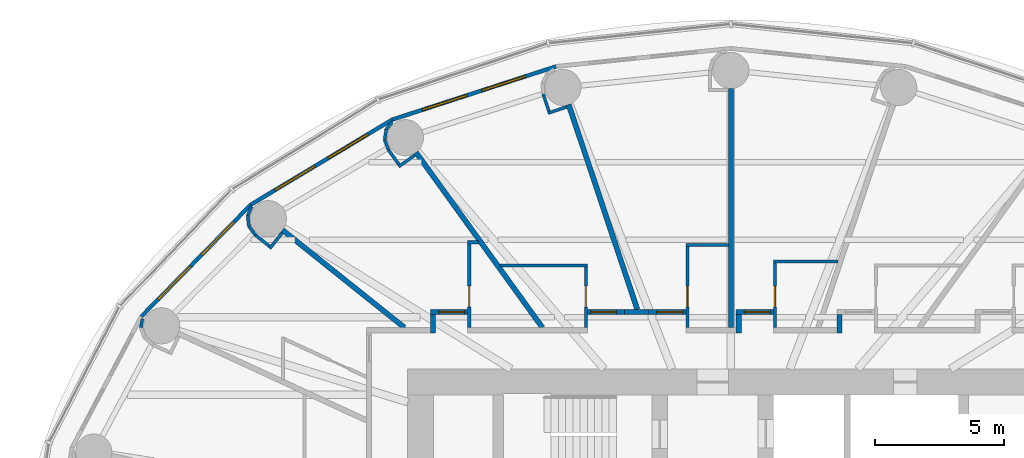
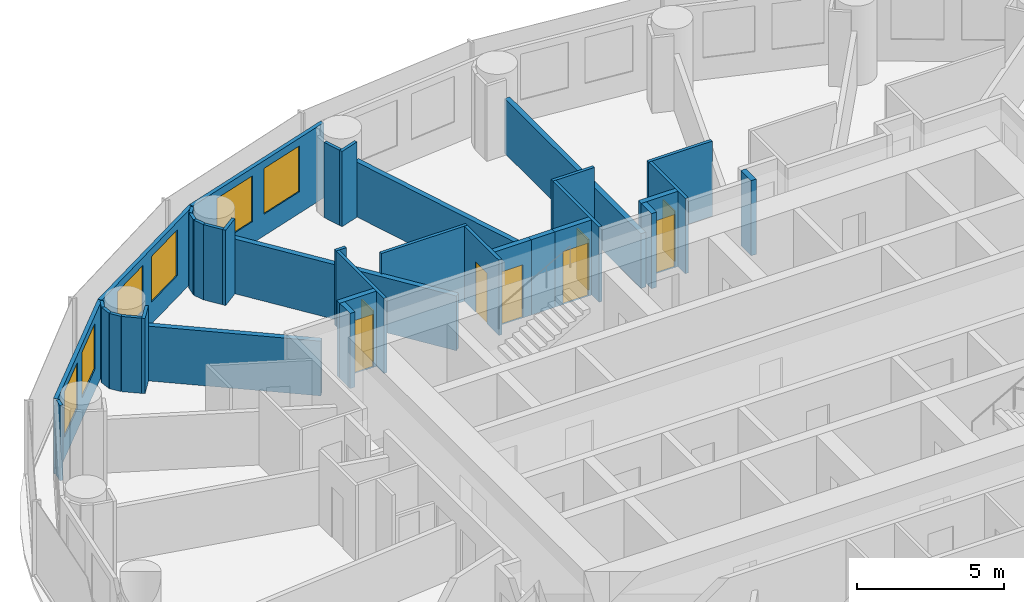
# One storey, part 11 of 14: 36 walls, 8 doors, 6 windows, 14 openings.
"""IFC4 building model written with IfcOpenShell, lengths in metres."""

from ifc_helpers import new_model, si_unit, direction, frame, frame_2d, origin, place, context, subcontext, project, spatial, rectangle, extrude, material, layer, layer_set, type_object, element, fill, save


model = new_model("IFC4")

# Units and contexts
model_context = context("Model", 3, precision=1e-05, world=origin(), true_north=direction((0.0, 1.0)))
body_context = subcontext(model_context, "Body", "Model", "MODEL_VIEW")
ifc_project = project(units=[si_unit("LENGTHUNIT", "METRE"), si_unit("AREAUNIT", "SQUARE_METRE"), si_unit("VOLUMEUNIT", "CUBIC_METRE"), si_unit("PLANEANGLEUNIT", "RADIAN"), si_unit("MASSUNIT", "GRAM", prefix="KILO")], contexts=[model_context])

# Site, building, storey
site_placement = place(None, origin())
site = spatial("IfcSite", under=ifc_project, at=site_placement, CompositionType="ELEMENT")
building_placement = place(site_placement, origin())
building = spatial("IfcBuilding", under=site, at=building_placement, Name="Hankou Lantern Tower", CompositionType="ELEMENT")
storey_placement = place(building_placement, frame((0.0, 0.0, 87.0)))
storey = spatial("IfcBuildingStorey", under=building, at=storey_placement, Name="L22", CompositionType="ELEMENT", Elevation=87.0)

# Wall, openings, windows
ifc_material_1 = material(Name="Aluminium spandrel panel on steel studs", Category="steel")
ifc_layer_1 = layer(ifc_material_1, 0.14990234375)
ifc_layer_set_1 = layer_set([ifc_layer_1], Name="Aluminium spandrel panel on steel studs")
wall_type_1 = type_object("IfcWallType", Name="EW1 INNER SKIN WALL 150", PredefinedType="ELEMENTEDWALL", material=ifc_layer_set_1)
wall_1_placement = place(storey_placement, frame((-6.766357421875, 20.201904296875, 0.0), z_axis=(0.0, 0.0, 1.0), x_axis=(-0.951137534625, -0.308767534285, 0.0)))
wall_1 = element("IfcWall", 1, at=wall_1_placement, inside=storey, type_object=wall_type_1, Name="Inner skin R08-R09 L22", PredefinedType="ELEMENTEDWALL", context=body_context, shape_type="SweptSolid", body=[
    extrude(rectangle(XDim=6.6552734375, YDim=0.14990234375, at=frame_2d((3.32763671875, 0.0))), origin(), (0.0, 0.0, 1.0), 3.1201171875),
])
opening_1_placement = place(wall_1_placement, frame((1.2275390625, 0.0, 0.89990234375)))
opening_1 = element("IfcOpeningElement", 2, at=opening_1_placement, cuts=wall_1, Name="Opening W1", PredefinedType="OPENING", context=body_context, shape_type="SweptSolid", body=[
    extrude(rectangle(XDim=1.800048828125, YDim=1.89990234375, at=frame_2d((0.89990234375, 0.949951171875))), frame((0.0, 0.0849609375, 0.0), z_axis=(0.0, -1.0, 0.0), x_axis=(1.0, 0.0, 0.0)), (0.0, 0.0, 1.0), 0.169921875),
])
opening_2_placement = place(wall_1_placement, frame((3.627685546875, 0.0, 0.89990234375)))
opening_2 = element("IfcOpeningElement", 3, at=opening_2_placement, cuts=wall_1, Name="Opening W1", PredefinedType="OPENING", context=body_context, shape_type="SweptSolid", body=[
    extrude(rectangle(XDim=1.800048828125, YDim=1.89990234375, at=frame_2d((0.89990234375, 0.949951171875))), frame((0.0, 0.0849609375, 0.0), z_axis=(0.0, -1.0, 0.0), x_axis=(1.0, 0.0, 0.0)), (0.0, 0.0, 1.0), 0.169921875),
])
ifc_material_2 = material(Name="Aluminium framed double glazed window", Category="aluminium")
window_type = type_object("IfcWindowType", Name="W1 GUEST ROOM WINDOW 1800X1900", PartitioningType="DOUBLE_PANEL_VERTICAL", PredefinedType="WINDOW", material=ifc_material_2)
window_1_placement = place(opening_1_placement, origin())
window_1 = element("IfcWindow", 4, at=window_1_placement, inside=storey, type_object=window_type, Name="Window R08.1 L22", OverallHeight=1.89990234375, OverallWidth=1.800048828125, PartitioningType="SINGLE_PANEL", PredefinedType="WINDOW", context=body_context, shape_type="SweptSolid", body=[
    extrude(rectangle(XDim=1.800048828125, YDim=1.89990234375, at=frame_2d((0.89990234375, 0.949951171875))), frame((0.0, 0.030029296875, 0.0), z_axis=(0.0, -1.0, 0.0), x_axis=(1.0, 0.0, 0.0)), (0.0, 0.0, 1.0), 0.06005859375),
])
fill(opening_1, window_1)
window_2_placement = place(opening_2_placement, origin())
window_2 = element("IfcWindow", 5, at=window_2_placement, inside=storey, type_object=window_type, Name="Window R08.2 L22", OverallHeight=1.89990234375, OverallWidth=1.800048828125, PartitioningType="SINGLE_PANEL", PredefinedType="WINDOW", context=body_context, shape_type="SweptSolid", body=[
    extrude(rectangle(XDim=1.800048828125, YDim=1.89990234375, at=frame_2d((0.89990234375, 0.949951171875))), frame((0.0, 0.030029296875, 0.0), z_axis=(0.0, -1.0, 0.0), x_axis=(1.0, 0.0, 0.0)), (0.0, 0.0, 1.0), 0.06005859375),
])
fill(opening_2, window_2)

wall_2_placement = place(storey_placement, frame((-13.096435546875, 18.14697265625, 0.0), z_axis=(0.0, 0.0, 1.0), x_axis=(-0.856983180864, -0.515344377787, 0.0)))
wall_2 = element("IfcWall", 6, at=wall_2_placement, inside=storey, type_object=wall_type_1, Name="Inner skin R09-R10 L22", PredefinedType="ELEMENTEDWALL", context=body_context, shape_type="SweptSolid", body=[
    extrude(rectangle(XDim=6.386474609375, YDim=0.14990234375, at=frame_2d((3.193359375, 0.0))), origin(), (0.0, 0.0, 1.0), 3.1201171875),
])
opening_3_placement = place(wall_2_placement, frame((1.09326171875, 0.0, 0.89990234375)))
opening_3 = element("IfcOpeningElement", 7, at=opening_3_placement, cuts=wall_2, Name="Opening W1", PredefinedType="OPENING", context=body_context, shape_type="SweptSolid", body=[
    extrude(rectangle(XDim=1.800048828125, YDim=1.89990234375, at=frame_2d((0.89990234375, 0.949951171875))), frame((0.0, 0.0849609375, 0.0), z_axis=(0.0, -1.0, 0.0), x_axis=(1.0, 0.0, 0.0)), (0.0, 0.0, 1.0), 0.169921875),
])
opening_4_placement = place(wall_2_placement, frame((3.4931640625, 0.0, 0.89990234375)))
opening_4 = element("IfcOpeningElement", 8, at=opening_4_placement, cuts=wall_2, Name="Opening W1", PredefinedType="OPENING", context=body_context, shape_type="SweptSolid", body=[
    extrude(rectangle(XDim=1.800048828125, YDim=1.89990234375, at=frame_2d((0.89990234375, 0.949951171875))), frame((0.0, 0.0849609375, 0.0), z_axis=(0.0, -1.0, 0.0), x_axis=(1.0, 0.0, 0.0)), (0.0, 0.0, 1.0), 0.169921875),
])
window_3_placement = place(opening_3_placement, origin())
window_3 = element("IfcWindow", 9, at=window_3_placement, inside=storey, type_object=window_type, Name="Window R09.1 L22", OverallHeight=1.89990234375, OverallWidth=1.800048828125, PartitioningType="SINGLE_PANEL", PredefinedType="WINDOW", context=body_context, shape_type="SweptSolid", body=[
    extrude(rectangle(XDim=1.800048828125, YDim=1.89990234375, at=frame_2d((0.89990234375, 0.949951171875))), frame((0.0, 0.030029296875, 0.0), z_axis=(0.0, -1.0, 0.0), x_axis=(1.0, 0.0, 0.0)), (0.0, 0.0, 1.0), 0.06005859375),
])
fill(opening_3, window_3)
window_4_placement = place(opening_4_placement, origin())
window_4 = element("IfcWindow", 10, at=window_4_placement, inside=storey, type_object=window_type, Name="Window R09.2 L22", OverallHeight=1.89990234375, OverallWidth=1.800048828125, PartitioningType="SINGLE_PANEL", PredefinedType="WINDOW", context=body_context, shape_type="SweptSolid", body=[
    extrude(rectangle(XDim=1.800048828125, YDim=1.89990234375, at=frame_2d((0.89990234375, 0.949951171875))), frame((0.0, 0.030029296875, 0.0), z_axis=(0.0, -1.0, 0.0), x_axis=(1.0, 0.0, 0.0)), (0.0, 0.0, 1.0), 0.06005859375),
])
fill(opening_4, window_4)

wall_3_placement = place(storey_placement, frame((-18.569580078125, 14.855712890625, 0.0), z_axis=(0.0, 0.0, 1.0), x_axis=(-0.699602905915, -0.714531856557, 0.0)))
wall_3 = element("IfcWall", 11, at=wall_3_placement, inside=storey, type_object=wall_type_1, Name="Inner skin R10-R11 L22", PredefinedType="ELEMENTEDWALL", context=body_context, shape_type="SweptSolid", body=[
    extrude(rectangle(XDim=6.05078125, YDim=0.14990234375, at=frame_2d((3.025390625, 0.0))), origin(), (0.0, 0.0, 1.0), 3.1201171875),
])
opening_5_placement = place(wall_3_placement, frame((0.925537109375, 0.0, 0.89990234375)))
opening_5 = element("IfcOpeningElement", 12, at=opening_5_placement, cuts=wall_3, Name="Opening W1", PredefinedType="OPENING", context=body_context, shape_type="SweptSolid", body=[
    extrude(rectangle(XDim=1.800048828125, YDim=1.89990234375, at=frame_2d((0.89990234375, 0.949951171875))), frame((0.0, 0.0849609375, 0.0), z_axis=(0.0, -1.0, 0.0), x_axis=(1.0, 0.0, 0.0)), (0.0, 0.0, 1.0), 0.169921875),
])
opening_6_placement = place(wall_3_placement, frame((3.325439453125, 0.0, 0.89990234375)))
opening_6 = element("IfcOpeningElement", 13, at=opening_6_placement, cuts=wall_3, Name="Opening W1", PredefinedType="OPENING", context=body_context, shape_type="SweptSolid", body=[
    extrude(rectangle(XDim=1.800048828125, YDim=1.89990234375, at=frame_2d((0.89990234375, 0.949951171875))), frame((0.0, 0.0849609375, 0.0), z_axis=(0.0, -1.0, 0.0), x_axis=(1.0, 0.0, 0.0)), (0.0, 0.0, 1.0), 0.169921875),
])
window_5_placement = place(opening_5_placement, origin())
window_5 = element("IfcWindow", 14, at=window_5_placement, inside=storey, type_object=window_type, Name="Window R10.1 L22", OverallHeight=1.89990234375, OverallWidth=1.800048828125, PartitioningType="SINGLE_PANEL", PredefinedType="WINDOW", context=body_context, shape_type="SweptSolid", body=[
    extrude(rectangle(XDim=1.800048828125, YDim=1.89990234375, at=frame_2d((0.89990234375, 0.949951171875))), frame((0.0, 0.030029296875, 0.0), z_axis=(0.0, -1.0, 0.0), x_axis=(1.0, 0.0, 0.0)), (0.0, 0.0, 1.0), 0.06005859375),
])
fill(opening_5, window_5)
window_6_placement = place(opening_6_placement, origin())
window_6 = element("IfcWindow", 15, at=window_6_placement, inside=storey, type_object=window_type, Name="Window R10.2 L22", OverallHeight=1.89990234375, OverallWidth=1.800048828125, PartitioningType="SINGLE_PANEL", PredefinedType="WINDOW", context=body_context, shape_type="SweptSolid", body=[
    extrude(rectangle(XDim=1.800048828125, YDim=1.89990234375, at=frame_2d((0.89990234375, 0.949951171875))), frame((0.0, 0.030029296875, 0.0), z_axis=(0.0, -1.0, 0.0), x_axis=(1.0, 0.0, 0.0)), (0.0, 0.0, 1.0), 0.06005859375),
])
fill(opening_6, window_6)

# Walls
ifc_material_3 = material(Name="Masonry lightweight concrete block", Category="masonry")
ifc_layer_2 = layer(ifc_material_3, 0.199951171875)
ifc_layer_set_2 = layer_set([ifc_layer_2], Name="Masonry lightweight concrete block")
wall_type_2 = type_object("IfcWallType", Name="IW1 GUEST ROOM PARTY WALL 200", PredefinedType="PARTITIONING", material=ifc_layer_set_2)
wall_4_placement = place(storey_placement, frame((0.0, 10.10009765625, 0.0), z_axis=(0.0, 0.0, 1.0), x_axis=(0.0, 1.0, 0.0)))
element("IfcWall", 16, at=wall_4_placement, inside=storey, type_object=wall_type_2, Name="Party wall R07", PredefinedType="PARTITIONING", context=body_context, shape_type="SweptSolid", body=[
    extrude(rectangle(XDim=9.25, YDim=0.199951171875, at=frame_2d((4.625, 0.0))), origin(), (0.0, 0.0, 1.0), 2.27001953125),
])
wall_5_placement = place(storey_placement, frame((-3.617431640625, 10.800048828125, 0.0), z_axis=(0.0, 0.0, 1.0), x_axis=(-0.317576599239, 0.948232621046, 0.0)))
element("IfcWall", 17, at=wall_5_placement, inside=storey, type_object=wall_type_2, Name="Party wall R08", PredefinedType="PARTITIONING", context=body_context, shape_type="SweptSolid", body=[
    extrude(rectangle(XDim=8.3603515625, YDim=0.199951171875, at=frame_2d((4.18017578125, 0.0))), origin(), (0.0, 0.0, 1.0), 2.27001953125),
])
wall_6_placement = place(storey_placement, frame((-7.2890625, 10.10009765625, 0.0), z_axis=(0.0, 0.0, 1.0), x_axis=(-0.585198353053, 0.810890182197, 0.0)))
element("IfcWall", 18, at=wall_6_placement, inside=storey, type_object=wall_type_2, Name="Party wall R09", PredefinedType="PARTITIONING", context=body_context, shape_type="SweptSolid", body=[
    extrude(rectangle(XDim=8.359619140625, YDim=0.199951171875, at=frame_2d((4.1796875, 0.0))), origin(), (0.0, 0.0, 1.0), 2.27001953125),
])
wall_7_placement = place(storey_placement, frame((-12.625, 10.10009765625, 0.0), z_axis=(0.0, 0.0, 1.0), x_axis=(-0.780892451574, 0.624665493744, 0.0)))
element("IfcWall", 19, at=wall_7_placement, inside=storey, type_object=wall_type_2, Name="Party wall R10", PredefinedType="PARTITIONING", context=body_context, shape_type="SweptSolid", body=[
    extrude(rectangle(XDim=6.044677734375, YDim=0.199951171875, at=frame_2d((3.0224609375, 0.0))), origin(), (0.0, 0.0, 1.0), 2.27001953125),
])
ifc_material_4 = material(Name="Masonry lightweight concrete block", Category="masonry")
ifc_layer_3 = layer(ifc_material_4, 0.199951171875)
ifc_layer_set_3 = layer_set([ifc_layer_3], Name="Masonry lightweight concrete block")
wall_type_3 = type_object("IfcWallType", Name="IW2 CORRIDOR WALL 200", PredefinedType="PARTITIONING", material=ifc_layer_set_3)
wall_8_placement = place(storey_placement, frame((4.208984375, 9.89990234375, 0.0), z_axis=(0.0, 0.0, 1.0), x_axis=(0.0, 1.0, 0.0)))
element("IfcWall", 20, at=wall_8_placement, inside=storey, type_object=wall_type_3, Name="Corridor recess wall 2211 side", PredefinedType="PARTITIONING", context=body_context, shape_type="SweptSolid", body=[
    extrude(rectangle(XDim=0.7001953125, YDim=0.199951171875, at=frame_2d((0.35009765625, 0.0))), origin(), (0.0, 0.0, 1.0), 3.1201171875),
])

# Wall, opening, door
wall_9_placement = place(storey_placement, frame((0.202880859375, 10.699951171875, 0.0), z_axis=(0.0, 0.0, 1.0), x_axis=(1.0, 0.0, 0.0)))
wall_9 = element("IfcWall", 21, at=wall_9_placement, inside=storey, type_object=wall_type_3, Name="Corridor recess wall 2212 back", PredefinedType="PARTITIONING", context=body_context, shape_type="SweptSolid", body=[
    extrude(rectangle(XDim=1.43994140625, YDim=0.199951171875, at=frame_2d((0.719970703125, 0.0))), origin(), (0.0, 0.0, 1.0), 3.1201171875),
])
opening_7_placement = place(wall_9_placement, frame((0.320068359375, 0.0, 0.0)))
opening_7 = element("IfcOpeningElement", 22, at=opening_7_placement, cuts=wall_9, Name="Opening D1", PredefinedType="OPENING", context=body_context, shape_type="SweptSolid", body=[
    extrude(rectangle(XDim=1.0, YDim=2.199951171875, at=frame_2d((0.5, 1.10009765625))), frame((0.0, 0.10986328125, 0.0), z_axis=(0.0, -1.0, 0.0), x_axis=(1.0, 0.0, 0.0)), (0.0, 0.0, 1.0), 0.219970703125),
])
ifc_material_5 = material(Name="Steel door leaf", Category="steel")
door_type_1 = type_object("IfcDoorType", Name="D1 GUEST ROOM DOOR 1000X2200", OperationType="SINGLE_SWING_LEFT", PredefinedType="DOOR", material=ifc_material_5)
door_1_placement = place(opening_7_placement, origin())
door_1 = element("IfcDoor", 23, at=door_1_placement, inside=storey, type_object=door_type_1, Name="Guest room door 2212", OperationType="SINGLE_SWING_RIGHT", OverallHeight=2.199951171875, OverallWidth=1.0, PredefinedType="DOOR", context=body_context, shape_type="SweptSolid", body=[
    extrude(rectangle(XDim=1.0, YDim=2.199951171875, at=frame_2d((0.5, 1.10009765625))), frame((0.0, 0.02490234375, 0.0), z_axis=(0.0, -1.0, 0.0), x_axis=(1.0, 0.0, 0.0)), (0.0, 0.0, 1.0), 0.050048828125),
])
fill(opening_7, door_1)

# Wall
wall_10_placement = place(storey_placement, frame((0.302978515625, 9.89990234375, 0.0), z_axis=(0.0, 0.0, 1.0), x_axis=(0.0, 1.0, 0.0)))
element("IfcWall", 24, at=wall_10_placement, inside=storey, type_object=wall_type_3, Name="Corridor recess wall 2212 side", PredefinedType="PARTITIONING", context=body_context, shape_type="SweptSolid", body=[
    extrude(rectangle(XDim=0.7001953125, YDim=0.199951171875, at=frame_2d((0.35009765625, 0.0))), origin(), (0.0, 0.0, 1.0), 3.1201171875),
])

# Wall, opening, door
wall_11_placement = place(storey_placement, frame((-3.179931640625, 10.699951171875, 0.0), z_axis=(0.0, 0.0, 1.0), x_axis=(1.0, 0.0, 0.0)))
wall_11 = element("IfcWall", 25, at=wall_11_placement, inside=storey, type_object=wall_type_3, Name="Corridor recess wall 2213 back", PredefinedType="PARTITIONING", context=body_context, shape_type="SweptSolid", body=[
    extrude(rectangle(XDim=1.43994140625, YDim=0.199951171875, at=frame_2d((0.719970703125, 0.0))), origin(), (0.0, 0.0, 1.0), 3.1201171875),
])
opening_8_placement = place(wall_11_placement, frame((0.320068359375, 0.0, 0.0)))
opening_8 = element("IfcOpeningElement", 26, at=opening_8_placement, cuts=wall_11, Name="Opening D1", PredefinedType="OPENING", context=body_context, shape_type="SweptSolid", body=[
    extrude(rectangle(XDim=1.0, YDim=2.199951171875, at=frame_2d((0.5, 1.10009765625))), frame((0.0, 0.10986328125, 0.0), z_axis=(0.0, -1.0, 0.0), x_axis=(1.0, 0.0, 0.0)), (0.0, 0.0, 1.0), 0.219970703125),
])
door_2_placement = place(opening_8_placement, origin())
door_2 = element("IfcDoor", 27, at=door_2_placement, inside=storey, type_object=door_type_1, Name="Guest room door 2213", OperationType="SINGLE_SWING_RIGHT", OverallHeight=2.199951171875, OverallWidth=1.0, PredefinedType="DOOR", context=body_context, shape_type="SweptSolid", body=[
    extrude(rectangle(XDim=1.0, YDim=2.199951171875, at=frame_2d((0.5, 1.10009765625))), frame((0.0, 0.02490234375, 0.0), z_axis=(0.0, -1.0, 0.0), x_axis=(1.0, 0.0, 0.0)), (0.0, 0.0, 1.0), 0.050048828125),
])
fill(opening_8, door_2)

wall_12_placement = place(storey_placement, frame((-5.549072265625, 10.699951171875, 0.0), z_axis=(0.0, 0.0, 1.0), x_axis=(1.0, 0.0, 0.0)))
wall_12 = element("IfcWall", 28, at=wall_12_placement, inside=storey, type_object=wall_type_3, Name="Corridor recess wall 2214 back", PredefinedType="PARTITIONING", context=body_context, shape_type="SweptSolid", body=[
    extrude(rectangle(XDim=1.43994140625, YDim=0.199951171875, at=frame_2d((0.719970703125, 0.0))), origin(), (0.0, 0.0, 1.0), 3.1201171875),
])
opening_9_placement = place(wall_12_placement, frame((0.1201171875, 0.0, 0.0)))
opening_9 = element("IfcOpeningElement", 29, at=opening_9_placement, cuts=wall_12, Name="Opening D1", PredefinedType="OPENING", context=body_context, shape_type="SweptSolid", body=[
    extrude(rectangle(XDim=1.0, YDim=2.199951171875, at=frame_2d((0.5, 1.10009765625))), frame((0.0, 0.10986328125, 0.0), z_axis=(0.0, -1.0, 0.0), x_axis=(1.0, 0.0, 0.0)), (0.0, 0.0, 1.0), 0.219970703125),
])
door_3_placement = place(opening_9_placement, origin())
door_3 = element("IfcDoor", 30, at=door_3_placement, inside=storey, type_object=door_type_1, Name="Guest room door 2214", OperationType="SINGLE_SWING_LEFT", OverallHeight=2.199951171875, OverallWidth=1.0, PredefinedType="DOOR", context=body_context, shape_type="SweptSolid", body=[
    extrude(rectangle(XDim=1.0, YDim=2.199951171875, at=frame_2d((0.5, 1.10009765625))), frame((0.0, 0.02490234375, 0.0), z_axis=(0.0, -1.0, 0.0), x_axis=(1.0, 0.0, 0.0)), (0.0, 0.0, 1.0), 0.050048828125),
])
fill(opening_9, door_3)

wall_13_placement = place(storey_placement, frame((-11.619140625, 10.699951171875, 0.0), z_axis=(0.0, 0.0, 1.0), x_axis=(1.0, 0.0, 0.0)))
wall_13 = element("IfcWall", 31, at=wall_13_placement, inside=storey, type_object=wall_type_3, Name="Corridor recess wall 2215 back", PredefinedType="PARTITIONING", context=body_context, shape_type="SweptSolid", body=[
    extrude(rectangle(XDim=1.440185546875, YDim=0.199951171875, at=frame_2d((0.72021484375, 0.0))), origin(), (0.0, 0.0, 1.0), 3.1201171875),
])
opening_10_placement = place(wall_13_placement, frame((0.320068359375, 0.0, 0.0)))
opening_10 = element("IfcOpeningElement", 32, at=opening_10_placement, cuts=wall_13, Name="Opening D1", PredefinedType="OPENING", context=body_context, shape_type="SweptSolid", body=[
    extrude(rectangle(XDim=1.0, YDim=2.199951171875, at=frame_2d((0.5, 1.10009765625))), frame((0.0, 0.10986328125, 0.0), z_axis=(0.0, -1.0, 0.0), x_axis=(1.0, 0.0, 0.0)), (0.0, 0.0, 1.0), 0.219970703125),
])
door_4_placement = place(opening_10_placement, origin())
door_4 = element("IfcDoor", 33, at=door_4_placement, inside=storey, type_object=door_type_1, Name="Guest room door 2215", OperationType="SINGLE_SWING_RIGHT", OverallHeight=2.199951171875, OverallWidth=1.0, PredefinedType="DOOR", context=body_context, shape_type="SweptSolid", body=[
    extrude(rectangle(XDim=1.0, YDim=2.199951171875, at=frame_2d((0.5, 1.10009765625))), frame((0.0, 0.02490234375, 0.0), z_axis=(0.0, -1.0, 0.0), x_axis=(1.0, 0.0, 0.0)), (0.0, 0.0, 1.0), 0.050048828125),
])
fill(opening_10, door_4)

# Walls
wall_14_placement = place(storey_placement, frame((-11.51904296875, 9.89990234375, 0.0), z_axis=(0.0, 0.0, 1.0), x_axis=(0.0, 1.0, 0.0)))
element("IfcWall", 34, at=wall_14_placement, inside=storey, type_object=wall_type_3, Name="Corridor recess wall 2215 side", PredefinedType="PARTITIONING", context=body_context, shape_type="SweptSolid", body=[
    extrude(rectangle(XDim=0.7001953125, YDim=0.199951171875, at=frame_2d((0.35009765625, 0.0))), origin(), (0.0, 0.0, 1.0), 3.1201171875),
])
wall_15_placement = place(storey_placement, frame((-4.109130859375, 10.699951171875, 0.0), z_axis=(0.0, 0.0, 1.0), x_axis=(1.0, 0.0, 0.0)))
element("IfcWall", 35, at=wall_15_placement, inside=storey, type_object=wall_type_3, Name="Corridor recess wall 2214 and 2213 back", PredefinedType="PARTITIONING", context=body_context, shape_type="SweptSolid", body=[
    extrude(rectangle(XDim=0.92919921875, YDim=0.199951171875, at=frame_2d((0.464599609375, 0.0))), origin(), (0.0, 0.0, 1.0), 3.1201171875),
])
ifc_material_6 = material(Name="Masonry lightweight concrete block", Category="masonry")
ifc_layer_4 = layer(ifc_material_6, 0.1201171875)
ifc_layer_set_4 = layer_set([ifc_layer_4], Name="Masonry lightweight concrete block")
wall_type_4 = type_object("IfcWallType", Name="IW3 BATHROOM WALL 120", PredefinedType="PARTITIONING", material=ifc_layer_set_4)
wall_16_placement = place(storey_placement, frame((4.136962890625, 12.64990234375, 0.0), z_axis=(0.0, 0.0, 1.0), x_axis=(-1.0, 0.0, 0.0)))
element("IfcWall", 36, at=wall_16_placement, inside=storey, type_object=wall_type_4, Name="Box wall 2212 1", PredefinedType="PARTITIONING", context=body_context, shape_type="SweptSolid", body=[
    extrude(rectangle(XDim=2.494140625, YDim=0.1201171875, at=frame_2d((1.2470703125, 0.0))), origin(), (0.0, 0.0, 1.0), 3.1201171875),
])

# Wall, opening, door
wall_17_placement = place(storey_placement, frame((1.702880859375, 10.10009765625, 0.0), z_axis=(0.0, 0.0, 1.0), x_axis=(0.0, 1.0, 0.0)))
wall_17 = element("IfcWall", 37, at=wall_17_placement, inside=storey, type_object=wall_type_4, Name="Box wall 2212 1", PredefinedType="PARTITIONING", context=body_context, shape_type="SweptSolid", body=[
    extrude(rectangle(XDim=2.489990234375, YDim=0.1201171875, at=frame_2d((1.2451171875, 0.0))), origin(), (0.0, 0.0, 1.0), 3.1201171875),
])
opening_11_placement = place(wall_17_placement, frame((0.800048828125, 0.0, 0.0)))
opening_11 = element("IfcOpeningElement", 38, at=opening_11_placement, cuts=wall_17, Name="Opening D3", PredefinedType="OPENING", context=body_context, shape_type="SweptSolid", body=[
    extrude(rectangle(XDim=0.800048828125, YDim=2.10009765625, at=frame_2d((0.39990234375, 1.050048828125))), frame((0.0, 0.070068359375, 0.0), z_axis=(0.0, -1.0, 0.0), x_axis=(1.0, 0.0, 0.0)), (0.0, 0.0, 1.0), 0.14013671875),
])
ifc_material_7 = material(Name="Timber door leaf", Category="wood")
door_type_2 = type_object("IfcDoorType", Name="D3 BATHROOM DOOR 800X2100", OperationType="SINGLE_SWING_LEFT", PredefinedType="DOOR", material=ifc_material_7)
door_5_placement = place(opening_11_placement, origin())
door_5 = element("IfcDoor", 39, at=door_5_placement, inside=storey, type_object=door_type_2, Name="En-suite bathroom 2212 door", OperationType="SINGLE_SWING_LEFT", OverallHeight=2.10009765625, OverallWidth=0.800048828125, PredefinedType="DOOR", context=body_context, shape_type="SweptSolid", body=[
    extrude(rectangle(XDim=0.800048828125, YDim=2.10009765625, at=frame_2d((0.39990234375, 1.050048828125))), frame((0.0, 0.02490234375, 0.0), z_axis=(0.0, -1.0, 0.0), x_axis=(1.0, 0.0, 0.0)), (0.0, 0.0, 1.0), 0.050048828125),
])
fill(opening_11, door_5)

# Wall
wall_18_placement = place(storey_placement, frame((-0.10009765625, 13.300048828125, 0.0), z_axis=(0.0, 0.0, 1.0), x_axis=(-1.0, 0.0, 0.0)))
element("IfcWall", 40, at=wall_18_placement, inside=storey, type_object=wall_type_4, Name="Box wall 2213 1", PredefinedType="PARTITIONING", context=body_context, shape_type="SweptSolid", body=[
    extrude(rectangle(XDim=1.639892578125, YDim=0.1201171875, at=frame_2d((0.81982421875, 0.0))), origin(), (0.0, 0.0, 1.0), 3.1201171875),
])

# Wall, opening, door
wall_19_placement = place(storey_placement, frame((-1.679931640625, 10.10009765625, 0.0), z_axis=(0.0, 0.0, 1.0), x_axis=(0.0, 1.0, 0.0)))
wall_19 = element("IfcWall", 41, at=wall_19_placement, inside=storey, type_object=wall_type_4, Name="Box wall 2213 1", PredefinedType="PARTITIONING", context=body_context, shape_type="SweptSolid", body=[
    extrude(rectangle(XDim=3.139892578125, YDim=0.1201171875, at=frame_2d((1.56982421875, 0.0))), origin(), (0.0, 0.0, 1.0), 3.1201171875),
])
opening_12_placement = place(wall_19_placement, frame((0.800048828125, 0.0, 0.0)))
opening_12 = element("IfcOpeningElement", 42, at=opening_12_placement, cuts=wall_19, Name="Opening D3", PredefinedType="OPENING", context=body_context, shape_type="SweptSolid", body=[
    extrude(rectangle(XDim=0.800048828125, YDim=2.10009765625, at=frame_2d((0.39990234375, 1.050048828125))), frame((0.0, 0.070068359375, 0.0), z_axis=(0.0, -1.0, 0.0), x_axis=(1.0, 0.0, 0.0)), (0.0, 0.0, 1.0), 0.14013671875),
])
door_6_placement = place(opening_12_placement, origin())
door_6 = element("IfcDoor", 43, at=door_6_placement, inside=storey, type_object=door_type_2, Name="En-suite bathroom 2213 door", OperationType="SINGLE_SWING_LEFT", OverallHeight=2.10009765625, OverallWidth=0.800048828125, PredefinedType="DOOR", context=body_context, shape_type="SweptSolid", body=[
    extrude(rectangle(XDim=0.800048828125, YDim=2.10009765625, at=frame_2d((0.39990234375, 1.050048828125))), frame((0.0, 0.02490234375, 0.0), z_axis=(0.0, -1.0, 0.0), x_axis=(1.0, 0.0, 0.0)), (0.0, 0.0, 1.0), 0.050048828125),
])
fill(opening_12, door_6)

# Wall
wall_20_placement = place(storey_placement, frame((-8.921142578125, 12.5, 0.0), z_axis=(0.0, 0.0, 1.0), x_axis=(1.0, 0.0, 0.0)))
element("IfcWall", 44, at=wall_20_placement, inside=storey, type_object=wall_type_4, Name="Box wall 2214 1", PredefinedType="PARTITIONING", context=body_context, shape_type="SweptSolid", body=[
    extrude(rectangle(XDim=3.3720703125, YDim=0.1201171875, at=frame_2d((1.68603515625, 0.0))), origin(), (0.0, 0.0, 1.0), 3.1201171875),
])

# Wall, opening, door
wall_21_placement = place(storey_placement, frame((-5.609130859375, 10.10009765625, 0.0), z_axis=(0.0, 0.0, 1.0), x_axis=(0.0, 1.0, 0.0)))
wall_21 = element("IfcWall", 45, at=wall_21_placement, inside=storey, type_object=wall_type_4, Name="Box wall 2214 1", PredefinedType="PARTITIONING", context=body_context, shape_type="SweptSolid", body=[
    extrude(rectangle(XDim=2.33984375, YDim=0.1201171875, at=frame_2d((1.169921875, 0.0))), origin(), (0.0, 0.0, 1.0), 3.1201171875),
])
opening_13_placement = place(wall_21_placement, frame((0.800048828125, 0.0, 0.0)))
opening_13 = element("IfcOpeningElement", 46, at=opening_13_placement, cuts=wall_21, Name="Opening D3", PredefinedType="OPENING", context=body_context, shape_type="SweptSolid", body=[
    extrude(rectangle(XDim=0.800048828125, YDim=2.10009765625, at=frame_2d((0.39990234375, 1.050048828125))), frame((0.0, 0.070068359375, 0.0), z_axis=(0.0, -1.0, 0.0), x_axis=(1.0, 0.0, 0.0)), (0.0, 0.0, 1.0), 0.14013671875),
])
door_7_placement = place(opening_13_placement, origin())
door_7 = element("IfcDoor", 47, at=door_7_placement, inside=storey, type_object=door_type_2, Name="En-suite bathroom 2214 door", OperationType="SINGLE_SWING_RIGHT", OverallHeight=2.10009765625, OverallWidth=0.800048828125, PredefinedType="DOOR", context=body_context, shape_type="SweptSolid", body=[
    extrude(rectangle(XDim=0.800048828125, YDim=2.10009765625, at=frame_2d((0.39990234375, 1.050048828125))), frame((0.0, 0.02490234375, 0.0), z_axis=(0.0, -1.0, 0.0), x_axis=(1.0, 0.0, 0.0)), (0.0, 0.0, 1.0), 0.050048828125),
])
fill(opening_13, door_7)

# Wall
wall_22_placement = place(storey_placement, frame((-9.7705078125, 13.39990234375, 0.0), z_axis=(0.0, 0.0, 1.0), x_axis=(-1.0, 0.0, 0.0)))
element("IfcWall", 48, at=wall_22_placement, inside=storey, type_object=wall_type_4, Name="Box wall 2215 1", PredefinedType="PARTITIONING", context=body_context, shape_type="SweptSolid", body=[
    extrude(rectangle(XDim=0.408447265625, YDim=0.1201171875, at=frame_2d((0.2041015625, 0.0))), origin(), (0.0, 0.0, 1.0), 3.1201171875),
])

# Wall, opening, door
wall_23_placement = place(storey_placement, frame((-10.119140625, 10.10009765625, 0.0), z_axis=(0.0, 0.0, 1.0), x_axis=(0.0, 1.0, 0.0)))
wall_23 = element("IfcWall", 49, at=wall_23_placement, inside=storey, type_object=wall_type_4, Name="Box wall 2215 1", PredefinedType="PARTITIONING", context=body_context, shape_type="SweptSolid", body=[
    extrude(rectangle(XDim=3.239990234375, YDim=0.1201171875, at=frame_2d((1.6201171875, 0.0))), origin(), (0.0, 0.0, 1.0), 3.1201171875),
])
opening_14_placement = place(wall_23_placement, frame((0.800048828125, 0.0, 0.0)))
opening_14 = element("IfcOpeningElement", 50, at=opening_14_placement, cuts=wall_23, Name="Opening D3", PredefinedType="OPENING", context=body_context, shape_type="SweptSolid", body=[
    extrude(rectangle(XDim=0.800048828125, YDim=2.10009765625, at=frame_2d((0.39990234375, 1.050048828125))), frame((0.0, 0.070068359375, 0.0), z_axis=(0.0, -1.0, 0.0), x_axis=(1.0, 0.0, 0.0)), (0.0, 0.0, 1.0), 0.14013671875),
])
door_8_placement = place(opening_14_placement, origin())
door_8 = element("IfcDoor", 51, at=door_8_placement, inside=storey, type_object=door_type_2, Name="En-suite bathroom 2215 door", OperationType="SINGLE_SWING_LEFT", OverallHeight=2.10009765625, OverallWidth=0.800048828125, PredefinedType="DOOR", context=body_context, shape_type="SweptSolid", body=[
    extrude(rectangle(XDim=0.800048828125, YDim=2.10009765625, at=frame_2d((0.39990234375, 1.050048828125))), frame((0.0, 0.02490234375, 0.0), z_axis=(0.0, -1.0, 0.0), x_axis=(1.0, 0.0, 0.0)), (0.0, 0.0, 1.0), 0.050048828125),
])
fill(opening_14, door_8)

# Walls
ifc_material_8 = material(Name="Masonry lightweight concrete block", Category="masonry")
ifc_layer_5 = layer(ifc_material_8, 0.1201171875)
ifc_layer_set_5 = layer_set([ifc_layer_5], Name="Masonry lightweight concrete block")
wall_type_5 = type_object("IfcWallType", Name="IW4 PARTITION 120", PredefinedType="PARTITIONING", material=ifc_layer_set_5)
wall_24_placement = place(storey_placement, frame((-6.348388671875, 18.638916015625, 0.0), z_axis=(0.0, 0.0, 1.0), x_axis=(-0.948268951266, -0.317468102437, 0.0)))
element("IfcWall", 52, at=wall_24_placement, inside=storey, type_object=wall_type_5, Name="Column casing R08 return", PredefinedType="PARTITIONING", context=body_context, shape_type="SweptSolid", body=[
    extrude(rectangle(XDim=0.767578125, YDim=0.1201171875, at=frame_2d((0.3837890625, 0.0))), origin(), (0.0, 0.0, 1.0), 3.1201171875),
])
wall_25_placement = place(storey_placement, frame((-7.038330078125, 18.47119140625, 0.0), z_axis=(0.0, 0.0, 1.0), x_axis=(-0.317378466199, 0.9482989556, 0.0)))
element("IfcWall", 53, at=wall_25_placement, inside=storey, type_object=wall_type_5, Name="Column casing R08", PredefinedType="PARTITIONING", context=body_context, shape_type="SweptSolid", body=[
    extrude(rectangle(XDim=0.699951171875, YDim=0.1201171875, at=frame_2d((0.35009765625, 0.0))), origin(), (0.0, 0.0, 1.0), 3.1201171875),
])
wall_26_placement = place(storey_placement, frame((-12.227294921875, 16.771728515625, 0.0), z_axis=(0.0, 0.0, 1.0), x_axis=(-0.810821798253, -0.585293098778, 0.0)))
element("IfcWall", 54, at=wall_26_placement, inside=storey, type_object=wall_type_5, Name="Column casing R09 return", PredefinedType="PARTITIONING", context=body_context, shape_type="SweptSolid", body=[
    extrude(rectangle(XDim=0.767578125, YDim=0.1201171875, at=frame_2d((0.3837890625, 0.0))), origin(), (0.0, 0.0, 1.0), 3.1201171875),
])
wall_27_placement = place(storey_placement, frame((-12.8359375, 16.40625, 0.0), z_axis=(0.0, 0.0, 1.0), x_axis=(-0.585223113993, 0.810872312296, 0.0)))
element("IfcWall", 55, at=wall_27_placement, inside=storey, type_object=wall_type_5, Name="Column casing R09", PredefinedType="PARTITIONING", context=body_context, shape_type="SweptSolid", body=[
    extrude(rectangle(XDim=0.699951171875, YDim=0.1201171875, at=frame_2d((0.35009765625, 0.0))), origin(), (0.0, 0.0, 1.0), 3.1201171875),
])
wall_28_placement = place(storey_placement, frame((-13.24560546875, 16.973876953125, 0.0), z_axis=(0.0, 0.0, 1.0), x_axis=(-0.355728122235, 0.934589483705, 0.0)))
element("IfcWall", 56, at=wall_28_placement, inside=storey, type_object=wall_type_5, Name="Column casing R09", PredefinedType="PARTITIONING", context=body_context, shape_type="SweptSolid", body=[
    extrude(rectangle(XDim=0.41796875, YDim=0.1201171875, at=frame_2d((0.208984375, 0.0))), origin(), (0.0, 0.0, 1.0), 3.1201171875),
])
wall_29_placement = place(storey_placement, frame((-13.394287109375, 17.364501953125, 0.0), z_axis=(0.0, 0.0, 1.0), x_axis=(0.159379276926, 0.987217425943, 0.0)))
element("IfcWall", 57, at=wall_29_placement, inside=storey, type_object=wall_type_5, Name="Column casing R09", PredefinedType="PARTITIONING", context=body_context, shape_type="SweptSolid", body=[
    extrude(rectangle(XDim=0.418212890625, YDim=0.1201171875, at=frame_2d((0.208984375, 0.0))), origin(), (0.0, 0.0, 1.0), 3.1201171875),
])
wall_30_placement = place(storey_placement, frame((-13.32763671875, 17.77734375, 0.0), z_axis=(0.0, 0.0, 1.0), x_axis=(0.632276783541, 0.774742582407, 0.0)))
element("IfcWall", 58, at=wall_30_placement, inside=storey, type_object=wall_type_5, Name="Column casing R09", PredefinedType="PARTITIONING", context=body_context, shape_type="SweptSolid", body=[
    extrude(rectangle(XDim=0.35986328125, YDim=0.1201171875, at=frame_2d((0.179931640625, 0.0))), origin(), (0.0, 0.0, 1.0), 3.1201171875),
])
wall_31_placement = place(storey_placement, frame((-17.36083984375, 13.760498046875, 0.0), z_axis=(0.0, 0.0, 1.0), x_axis=(-0.624501042889, -0.781023973659, 0.0)))
element("IfcWall", 59, at=wall_31_placement, inside=storey, type_object=wall_type_5, Name="Column casing R10 return", PredefinedType="PARTITIONING", context=body_context, shape_type="SweptSolid", body=[
    extrude(rectangle(XDim=0.767333984375, YDim=0.1201171875, at=frame_2d((0.3837890625, 0.0))), origin(), (0.0, 0.0, 1.0), 3.1201171875),
])
wall_32_placement = place(storey_placement, frame((-17.849609375, 13.24560546875, 0.0), z_axis=(0.0, 0.0, 1.0), x_axis=(-0.780902834923, 0.62465251333, 0.0)))
element("IfcWall", 60, at=wall_32_placement, inside=storey, type_object=wall_type_5, Name="Column casing R10", PredefinedType="PARTITIONING", context=body_context, shape_type="SweptSolid", body=[
    extrude(rectangle(XDim=0.699951171875, YDim=0.1201171875, at=frame_2d((0.35009765625, 0.0))), origin(), (0.0, 0.0, 1.0), 3.1201171875),
])
for number, where, z_axis, x_axis, name in (
    (61, (-18.396240234375, 13.682861328125, 0.0), (0.0, 0.0, 1.0), (-0.592401603461, 0.805642811807, 0.0), "Column casing R10"),
    (62, (-18.643798828125, 14.01953125, 0.0), (0.0, 0.0, 1.0), (-0.110367433259, 0.993890854006, 0.0), "Column casing R10"),
):
    element("IfcWall", number, at=place(storey_placement, frame(where, z_axis=z_axis, x_axis=x_axis)), inside=storey, type_object=wall_type_5, Name=name, PredefinedType="PARTITIONING", context=body_context, shape_type="SweptSolid", body=[
        extrude(rectangle(XDim=0.41796875, YDim=0.1201171875, at=frame_2d((0.208984375, 0.0))), origin(), (0.0, 0.0, 1.0), 3.1201171875),
    ])
wall_33_placement = place(storey_placement, frame((-18.68994140625, 14.43505859375, 0.0), z_axis=(0.0, 0.0, 1.0), x_axis=(0.401093412634, 0.91603715773, 0.0)))
element("IfcWall", 63, at=wall_33_placement, inside=storey, type_object=wall_type_5, Name="Column casing R10", PredefinedType="PARTITIONING", context=body_context, shape_type="SweptSolid", body=[
    extrude(rectangle(XDim=0.373046875, YDim=0.1201171875, at=frame_2d((0.1865234375, 0.0))), origin(), (0.0, 0.0, 1.0), 3.1201171875),
])
wall_34_placement = place(storey_placement, frame((-22.8232421875, 10.096923828125, 0.0), z_axis=(0.0, 0.0, 1.0), x_axis=(0.169674995186, 0.985500074079, 0.0)))
element("IfcWall", 64, at=wall_34_placement, inside=storey, type_object=wall_type_5, Name="Column casing R11", PredefinedType="PARTITIONING", context=body_context, shape_type="SweptSolid", body=[
    extrude(rectangle(XDim=0.3525390625, YDim=0.1201171875, at=frame_2d((0.17626953125, 0.0))), origin(), (0.0, 0.0, 1.0), 3.1201171875),
])

save(model, "model.ifc")
